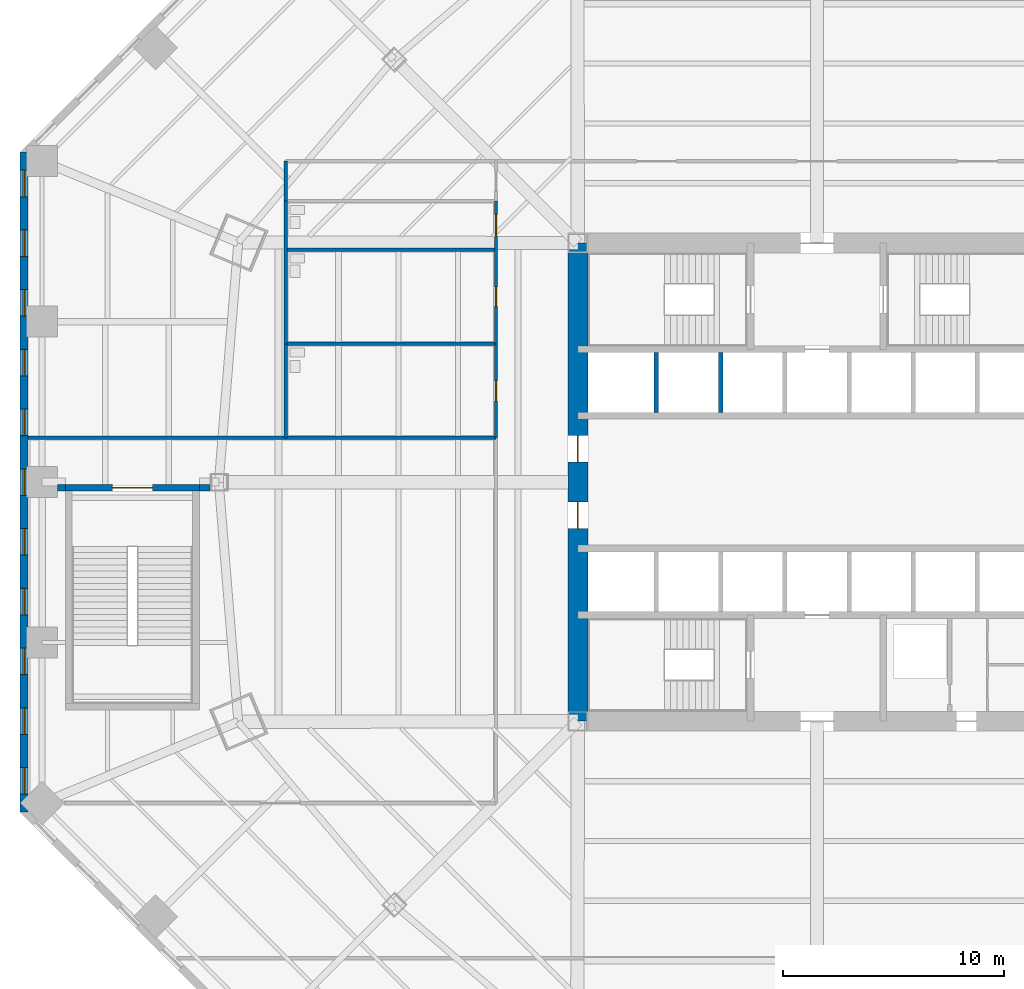
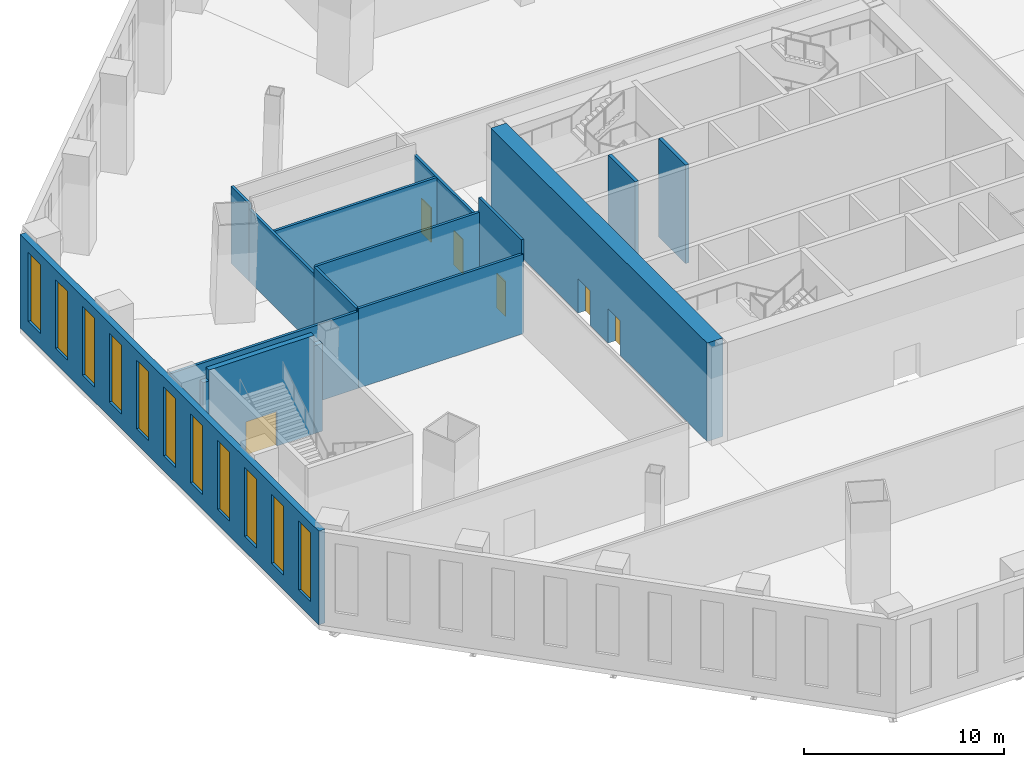
# One storey, part 10 of 20: 16 walls, 11 windows, 6 doors, 17 openings.
"""IFC4 building model written with IfcOpenShell, lengths in metres."""

from ifc_helpers import new_model, si_unit, direction, frame, frame_2d, origin, place, context, subcontext, project, spatial, rectangle, extrude, material, layer, layer_set, type_object, element, fill, save


model = new_model("IFC4")

# Units and contexts
model_context = context("Model", 3, precision=1e-05, world=origin(), true_north=direction((0.0, 1.0)))
body_context = subcontext(model_context, "Body", "Model", "MODEL_VIEW")
ifc_project = project(units=[si_unit("LENGTHUNIT", "METRE"), si_unit("AREAUNIT", "SQUARE_METRE"), si_unit("VOLUMEUNIT", "CUBIC_METRE"), si_unit("PLANEANGLEUNIT", "RADIAN"), si_unit("MASSUNIT", "GRAM", prefix="KILO")], contexts=[model_context])

# Site, building, storey
site_placement = place(None, origin())
site = spatial("IfcSite", under=ifc_project, at=site_placement, CompositionType="ELEMENT")
building_placement = place(site_placement, origin())
building = spatial("IfcBuilding", under=site, at=building_placement, Name="Mashrafa Tower", CompositionType="ELEMENT")
storey_placement = place(building_placement, frame((0.0, 0.0, 7.199951171875)))
storey = spatial("IfcBuildingStorey", under=building, at=storey_placement, Name="L01", CompositionType="ELEMENT", Elevation=7.199951171875)

# Wall, openings, doors
ifc_material_1 = material(Name="Concrete C60/75", Category="concrete")
ifc_layer_1 = layer(ifc_material_1, 0.89990234375)
ifc_layer_set_1 = layer_set([ifc_layer_1], Name="Core wall 900 C60/75")
wall_type_1 = type_object("IfcWallType", Name="Core wall 900 C60/75", PredefinedType="SOLIDWALL", material=ifc_layer_set_1)
wall_1_placement = place(storey_placement, frame((-10.800048828125, 10.800048828125, 0.0), z_axis=(0.0, 0.0, 1.0), x_axis=(0.0, -1.0, 0.0)))
wall_1 = element("IfcWall", 1, at=wall_1_placement, inside=storey, type_object=wall_type_1, Name="Core wall CW-W L01", PredefinedType="SOLIDWALL", context=body_context, shape_type="SweptSolid", body=[
    extrude(rectangle(XDim=21.60009765625, YDim=0.89990234375, at=frame_2d((10.800048828125, 0.0))), origin(), (0.0, 0.0, 1.0), 6.0),
])
opening_1_placement = place(wall_1_placement, frame((8.699951171875, 0.0, 0.0)))
opening_1 = element("IfcOpeningElement", 2, at=opening_1_placement, cuts=wall_1, Name="Opening 01.012", PredefinedType="OPENING", context=body_context, shape_type="SweptSolid", body=[
    extrude(rectangle(XDim=1.199951171875, YDim=2.10009765625, at=frame_2d((0.60009765625, 1.050048828125))), frame((0.0, 0.4599609375, 0.0), z_axis=(0.0, -1.0, 0.0), x_axis=(1.0, 0.0, 0.0)), (0.0, 0.0, 1.0), 0.919921875),
])
opening_2_placement = place(wall_1_placement, frame((11.699951171875, 0.0, 0.0)))
opening_2 = element("IfcOpeningElement", 3, at=opening_2_placement, cuts=wall_1, Name="Opening 01.014", PredefinedType="OPENING", context=body_context, shape_type="SweptSolid", body=[
    extrude(rectangle(XDim=1.199951171875, YDim=2.10009765625, at=frame_2d((0.60009765625, 1.050048828125))), frame((0.0, 0.4599609375, 0.0), z_axis=(0.0, -1.0, 0.0), x_axis=(1.0, 0.0, 0.0)), (0.0, 0.0, 1.0), 0.919921875),
])
ifc_material_2 = material(Name="Steel door", Category="steel")
door_type_1 = type_object("IfcDoorType", Name="Lift hall door 1200 x 2100 90 min", OperationType="USERDEFINED", PredefinedType="DOOR", material=ifc_material_2)
door_1_placement = place(opening_1_placement, frame((1.199951171875, 0.0, 0.0), z_axis=(0.0, 0.0, 1.0), x_axis=(-1.0, 0.0, 0.0)))
door_1 = element("IfcDoor", 4, at=door_1_placement, inside=storey, type_object=door_type_1, Name="Lift hall door west L01", OperationType="SINGLE_SWING_RIGHT", OverallHeight=2.10009765625, OverallWidth=1.199951171875, PredefinedType="DOOR", context=body_context, shape_type="SweptSolid", body=[
    extrude(rectangle(XDim=1.199951171875, YDim=2.10009765625, at=frame_2d((0.60009765625, 1.050048828125))), frame((0.0, 0.02490234375, 0.0), z_axis=(0.0, -1.0, 0.0), x_axis=(1.0, 0.0, 0.0)), (0.0, 0.0, 1.0), 0.050048828125),
])
fill(opening_1, door_1)
door_2_placement = place(opening_2_placement, frame((1.199951171875, 0.0, 0.0), z_axis=(0.0, 0.0, 1.0), x_axis=(-1.0, 0.0, 0.0)))
door_2 = element("IfcDoor", 5, at=door_2_placement, inside=storey, type_object=door_type_1, Name="Lift hall door west L01", OperationType="SINGLE_SWING_RIGHT", OverallHeight=2.10009765625, OverallWidth=1.199951171875, PredefinedType="DOOR", context=body_context, shape_type="SweptSolid", body=[
    extrude(rectangle(XDim=1.199951171875, YDim=2.10009765625, at=frame_2d((0.60009765625, 1.050048828125))), frame((0.0, 0.02490234375, 0.0), z_axis=(0.0, -1.0, 0.0), x_axis=(1.0, 0.0, 0.0)), (0.0, 0.0, 1.0), 0.050048828125),
])
fill(opening_2, door_2)

# Wall, opening, door
ifc_material_3 = material(Name="Gypsum board on steel studs", Category="steel")
ifc_layer_2 = layer(ifc_material_3, 0.14990234375)
ifc_layer_set_2 = layer_set([ifc_layer_2], Name="Corridor partition 150 1 hr")
wall_type_2 = type_object("IfcWallType", Name="Corridor partition 150 1 hr", PredefinedType="PARTITIONING", material=ifc_layer_set_2)
wall_2_placement = place(storey_placement, frame((-14.5, 2.0, 0.0), z_axis=(0.0, 0.0, 1.0), x_axis=(0.0, 1.0, 0.0)))
wall_2 = element("IfcWall", 6, at=wall_2_placement, inside=storey, type_object=wall_type_2, Name="Corridor wall L01-003", PredefinedType="PARTITIONING", context=body_context, shape_type="SweptSolid", body=[
    extrude(rectangle(XDim=4.25, YDim=0.14990234375, at=frame_2d((2.125, 0.0))), origin(), (0.0, 0.0, 1.0), 5.699951171875),
])
opening_3_placement = place(wall_2_placement, frame((1.675048828125, 0.0, 0.0)))
opening_3 = element("IfcOpeningElement", 7, at=opening_3_placement, cuts=wall_2, Name="Opening 01.001", PredefinedType="OPENING", context=body_context, shape_type="SweptSolid", body=[
    extrude(rectangle(XDim=0.89990234375, YDim=2.10009765625, at=frame_2d((0.449951171875, 1.050048828125))), frame((0.0, 0.0849609375, 0.0), z_axis=(0.0, -1.0, 0.0), x_axis=(1.0, 0.0, 0.0)), (0.0, 0.0, 1.0), 0.169921875),
])
ifc_material_4 = material(Name="Timber door", Category="wood")
door_type_2 = type_object("IfcDoorType", Name="Toilet door 900 x 2100", OperationType="USERDEFINED", PredefinedType="DOOR", material=ifc_material_4)
door_3_placement = place(opening_3_placement, origin())
door_3 = element("IfcDoor", 8, at=door_3_placement, inside=storey, type_object=door_type_2, Name="WC Female L01 door", OperationType="SINGLE_SWING_LEFT", OverallHeight=2.10009765625, OverallWidth=0.89990234375, PredefinedType="DOOR", context=body_context, shape_type="SweptSolid", body=[
    extrude(rectangle(XDim=0.89990234375, YDim=2.10009765625, at=frame_2d((0.449951171875, 1.050048828125))), frame((0.0, 0.02490234375, 0.0), z_axis=(0.0, -1.0, 0.0), x_axis=(1.0, 0.0, 0.0)), (0.0, 0.0, 1.0), 0.050048828125),
])
fill(opening_3, door_3)

# Wall, openings, doors
wall_3_placement = place(storey_placement, frame((-14.5, 6.25, 0.0), z_axis=(0.0, 0.0, 1.0), x_axis=(0.0, 1.0, 0.0)))
wall_3 = element("IfcWall", 9, at=wall_3_placement, inside=storey, type_object=wall_type_2, Name="Corridor wall L01-006", PredefinedType="PARTITIONING", context=body_context, shape_type="SweptSolid", body=[
    extrude(rectangle(XDim=6.449951171875, YDim=0.14990234375, at=frame_2d((3.22509765625, 0.0))), origin(), (0.0, 0.0, 1.0), 4.39013671875),
])
opening_4_placement = place(wall_3_placement, frame((1.675048828125, 0.0, 0.0)))
opening_4 = element("IfcOpeningElement", 10, at=opening_4_placement, cuts=wall_3, Name="Opening 01.002", PredefinedType="OPENING", context=body_context, shape_type="SweptSolid", body=[
    extrude(rectangle(XDim=0.89990234375, YDim=2.10009765625, at=frame_2d((0.449951171875, 1.050048828125))), frame((0.0, 0.0849609375, 0.0), z_axis=(0.0, -1.0, 0.0), x_axis=(1.0, 0.0, 0.0)), (0.0, 0.0, 1.0), 0.169921875),
])
opening_5_placement = place(wall_3_placement, frame((4.85009765625, 0.0, 0.0)))
opening_5 = element("IfcOpeningElement", 11, at=opening_5_placement, cuts=wall_3, Name="Opening 01.003", PredefinedType="OPENING", context=body_context, shape_type="SweptSolid", body=[
    extrude(rectangle(XDim=1.0, YDim=2.10009765625, at=frame_2d((0.5, 1.050048828125))), frame((0.0, 0.0849609375, 0.0), z_axis=(0.0, -1.0, 0.0), x_axis=(1.0, 0.0, 0.0)), (0.0, 0.0, 1.0), 0.169921875),
])
ifc_material_5 = material(Name="Timber door", Category="wood")
door_type_3 = type_object("IfcDoorType", Name="Accessible toilet door 1000 x 2100", OperationType="USERDEFINED", PredefinedType="DOOR", material=ifc_material_5)
door_4_placement = place(opening_5_placement, origin())
door_4 = element("IfcDoor", 12, at=door_4_placement, inside=storey, type_object=door_type_3, Name="Accessible WC L01 door", OperationType="SINGLE_SWING_LEFT", OverallHeight=2.10009765625, OverallWidth=1.0, PredefinedType="DOOR", context=body_context, shape_type="SweptSolid", body=[
    extrude(rectangle(XDim=1.0, YDim=2.10009765625, at=frame_2d((0.5, 1.050048828125))), frame((0.0, 0.02490234375, 0.0), z_axis=(0.0, -1.0, 0.0), x_axis=(1.0, 0.0, 0.0)), (0.0, 0.0, 1.0), 0.050048828125),
])
fill(opening_5, door_4)
door_5_placement = place(opening_4_placement, origin())
door_5 = element("IfcDoor", 13, at=door_5_placement, inside=storey, type_object=door_type_2, Name="WC Male L01 door", OperationType="SINGLE_SWING_LEFT", OverallHeight=2.10009765625, OverallWidth=0.89990234375, PredefinedType="DOOR", context=body_context, shape_type="SweptSolid", body=[
    extrude(rectangle(XDim=0.89990234375, YDim=2.10009765625, at=frame_2d((0.449951171875, 1.050048828125))), frame((0.0, 0.02490234375, 0.0), z_axis=(0.0, -1.0, 0.0), x_axis=(1.0, 0.0, 0.0)), (0.0, 0.0, 1.0), 0.050048828125),
])
fill(opening_4, door_5)

# Wall, openings, windows
ifc_material_6 = material(Name="Riyadh limestone cladding on blockwork", Category="masonry")
ifc_layer_3 = layer(ifc_material_6, 0.35009765625)
ifc_layer_set_3 = layer_set([ifc_layer_3], Name="Limestone-clad external wall 350")
wall_type_3 = type_object("IfcWallType", Name="Limestone-clad external wall 350", PredefinedType="SOLIDWALL", material=ifc_layer_set_3)
wall_4_placement = place(storey_placement, frame((-35.824951171875, 14.91162109375, 0.0), z_axis=(0.0, 0.0, 1.0), x_axis=(0.0, -1.0, 0.0)))
wall_4 = element("IfcWall", 14, at=wall_4_placement, inside=storey, type_object=wall_type_3, Name="Limestone-clad external wall L01 west", PredefinedType="SOLIDWALL", context=body_context, shape_type="SweptSolid", body=[
    extrude(rectangle(XDim=29.8232421875, YDim=0.35009765625, at=frame_2d((14.91162109375, 0.0))), origin(), (0.0, 0.0, 1.0), 5.699951171875),
])
opening_6_placement = place(wall_4_placement, frame((0.821533203125, 0.0, 0.89990234375)))
opening_6 = element("IfcOpeningElement", 15, at=opening_6_placement, cuts=wall_4, Name="Opening W1", PredefinedType="OPENING", context=body_context, shape_type="SweptSolid", body=[
    extrude(rectangle(XDim=1.199951171875, YDim=4.199951171875, at=frame_2d((0.60009765625, 2.10009765625))), frame((0.0, 0.18505859375, 0.0), z_axis=(0.0, -1.0, 0.0), x_axis=(1.0, 0.0, 0.0)), (0.0, 0.0, 1.0), 0.3701171875),
])
opening_7_placement = place(wall_4_placement, frame((3.51953125, 0.0, 0.89990234375)))
opening_7 = element("IfcOpeningElement", 16, at=opening_7_placement, cuts=wall_4, Name="Opening W1", PredefinedType="OPENING", context=body_context, shape_type="SweptSolid", body=[
    extrude(rectangle(XDim=1.199951171875, YDim=4.199951171875, at=frame_2d((0.60009765625, 2.10009765625))), frame((0.0, 0.18505859375, 0.0), z_axis=(0.0, -1.0, 0.0), x_axis=(1.0, 0.0, 0.0)), (0.0, 0.0, 1.0), 0.3701171875),
])
opening_8_placement = place(wall_4_placement, frame((6.217529296875, 0.0, 0.89990234375)))
opening_8 = element("IfcOpeningElement", 17, at=opening_8_placement, cuts=wall_4, Name="Opening W1", PredefinedType="OPENING", context=body_context, shape_type="SweptSolid", body=[
    extrude(rectangle(XDim=1.199951171875, YDim=4.199951171875, at=frame_2d((0.60009765625, 2.10009765625))), frame((0.0, 0.18505859375, 0.0), z_axis=(0.0, -1.0, 0.0), x_axis=(1.0, 0.0, 0.0)), (0.0, 0.0, 1.0), 0.3701171875),
])
opening_9_placement = place(wall_4_placement, frame((8.91552734375, 0.0, 0.89990234375)))
opening_9 = element("IfcOpeningElement", 18, at=opening_9_placement, cuts=wall_4, Name="Opening W1", PredefinedType="OPENING", context=body_context, shape_type="SweptSolid", body=[
    extrude(rectangle(XDim=1.199951171875, YDim=4.199951171875, at=frame_2d((0.60009765625, 2.10009765625))), frame((0.0, 0.18505859375, 0.0), z_axis=(0.0, -1.0, 0.0), x_axis=(1.0, 0.0, 0.0)), (0.0, 0.0, 1.0), 0.3701171875),
])
opening_10_placement = place(wall_4_placement, frame((11.61376953125, 0.0, 0.89990234375)))
opening_10 = element("IfcOpeningElement", 19, at=opening_10_placement, cuts=wall_4, Name="Opening W1", PredefinedType="OPENING", context=body_context, shape_type="SweptSolid", body=[
    extrude(rectangle(XDim=1.199951171875, YDim=4.199951171875, at=frame_2d((0.60009765625, 2.10009765625))), frame((0.0, 0.18505859375, 0.0), z_axis=(0.0, -1.0, 0.0), x_axis=(1.0, 0.0, 0.0)), (0.0, 0.0, 1.0), 0.3701171875),
])
opening_11_placement = place(wall_4_placement, frame((14.311767578125, 0.0, 0.89990234375)))
opening_11 = element("IfcOpeningElement", 20, at=opening_11_placement, cuts=wall_4, Name="Opening W1", PredefinedType="OPENING", context=body_context, shape_type="SweptSolid", body=[
    extrude(rectangle(XDim=1.199951171875, YDim=4.199951171875, at=frame_2d((0.60009765625, 2.10009765625))), frame((0.0, 0.18505859375, 0.0), z_axis=(0.0, -1.0, 0.0), x_axis=(1.0, 0.0, 0.0)), (0.0, 0.0, 1.0), 0.3701171875),
])
opening_12_placement = place(wall_4_placement, frame((17.009765625, 0.0, 0.89990234375)))
opening_12 = element("IfcOpeningElement", 21, at=opening_12_placement, cuts=wall_4, Name="Opening W1", PredefinedType="OPENING", context=body_context, shape_type="SweptSolid", body=[
    extrude(rectangle(XDim=1.199951171875, YDim=4.199951171875, at=frame_2d((0.60009765625, 2.10009765625))), frame((0.0, 0.18505859375, 0.0), z_axis=(0.0, -1.0, 0.0), x_axis=(1.0, 0.0, 0.0)), (0.0, 0.0, 1.0), 0.3701171875),
])
opening_13_placement = place(wall_4_placement, frame((19.707763671875, 0.0, 0.89990234375)))
opening_13 = element("IfcOpeningElement", 22, at=opening_13_placement, cuts=wall_4, Name="Opening W1", PredefinedType="OPENING", context=body_context, shape_type="SweptSolid", body=[
    extrude(rectangle(XDim=1.199951171875, YDim=4.199951171875, at=frame_2d((0.60009765625, 2.10009765625))), frame((0.0, 0.18505859375, 0.0), z_axis=(0.0, -1.0, 0.0), x_axis=(1.0, 0.0, 0.0)), (0.0, 0.0, 1.0), 0.3701171875),
])
opening_14_placement = place(wall_4_placement, frame((22.40576171875, 0.0, 0.89990234375)))
opening_14 = element("IfcOpeningElement", 23, at=opening_14_placement, cuts=wall_4, Name="Opening W1", PredefinedType="OPENING", context=body_context, shape_type="SweptSolid", body=[
    extrude(rectangle(XDim=1.199951171875, YDim=4.199951171875, at=frame_2d((0.60009765625, 2.10009765625))), frame((0.0, 0.18505859375, 0.0), z_axis=(0.0, -1.0, 0.0), x_axis=(1.0, 0.0, 0.0)), (0.0, 0.0, 1.0), 0.3701171875),
])
opening_15_placement = place(wall_4_placement, frame((25.103759765625, 0.0, 0.89990234375)))
opening_15 = element("IfcOpeningElement", 24, at=opening_15_placement, cuts=wall_4, Name="Opening W1", PredefinedType="OPENING", context=body_context, shape_type="SweptSolid", body=[
    extrude(rectangle(XDim=1.199951171875, YDim=4.199951171875, at=frame_2d((0.60009765625, 2.10009765625))), frame((0.0, 0.18505859375, 0.0), z_axis=(0.0, -1.0, 0.0), x_axis=(1.0, 0.0, 0.0)), (0.0, 0.0, 1.0), 0.3701171875),
])
opening_16_placement = place(wall_4_placement, frame((27.8017578125, 0.0, 0.89990234375)))
opening_16 = element("IfcOpeningElement", 25, at=opening_16_placement, cuts=wall_4, Name="Opening W1", PredefinedType="OPENING", context=body_context, shape_type="SweptSolid", body=[
    extrude(rectangle(XDim=1.199951171875, YDim=4.199951171875, at=frame_2d((0.60009765625, 2.10009765625))), frame((0.0, 0.18505859375, 0.0), z_axis=(0.0, -1.0, 0.0), x_axis=(1.0, 0.0, 0.0)), (0.0, 0.0, 1.0), 0.3701171875),
])
ifc_material_7 = material(Name="Bronze-framed insulated glazing", Category="glass")
window_type = type_object("IfcWindowType", Name="Tall punched window 1200 x 4200", PartitioningType="DOUBLE_PANEL_HORIZONTAL", PredefinedType="WINDOW", material=ifc_material_7)
window_1_placement = place(opening_6_placement, origin())
window_1 = element("IfcWindow", 26, at=window_1_placement, inside=storey, type_object=window_type, Name="Window W1 L01 west bay 1", OverallHeight=4.199951171875, OverallWidth=1.199951171875, PartitioningType="SINGLE_PANEL", PredefinedType="WINDOW", context=body_context, shape_type="SweptSolid", body=[
    extrude(rectangle(XDim=1.199951171875, YDim=4.199951171875, at=frame_2d((0.60009765625, 2.10009765625))), frame((0.0, 0.030029296875, 0.0), z_axis=(0.0, -1.0, 0.0), x_axis=(1.0, 0.0, 0.0)), (0.0, 0.0, 1.0), 0.06005859375),
])
fill(opening_6, window_1)
window_2_placement = place(opening_7_placement, origin())
window_2 = element("IfcWindow", 27, at=window_2_placement, inside=storey, type_object=window_type, Name="Window W1 L01 west bay 2", OverallHeight=4.199951171875, OverallWidth=1.199951171875, PartitioningType="SINGLE_PANEL", PredefinedType="WINDOW", context=body_context, shape_type="SweptSolid", body=[
    extrude(rectangle(XDim=1.199951171875, YDim=4.199951171875, at=frame_2d((0.60009765625, 2.10009765625))), frame((0.0, 0.030029296875, 0.0), z_axis=(0.0, -1.0, 0.0), x_axis=(1.0, 0.0, 0.0)), (0.0, 0.0, 1.0), 0.06005859375),
])
fill(opening_7, window_2)
window_3_placement = place(opening_8_placement, origin())
window_3 = element("IfcWindow", 28, at=window_3_placement, inside=storey, type_object=window_type, Name="Window W1 L01 west bay 3", OverallHeight=4.199951171875, OverallWidth=1.199951171875, PartitioningType="SINGLE_PANEL", PredefinedType="WINDOW", context=body_context, shape_type="SweptSolid", body=[
    extrude(rectangle(XDim=1.199951171875, YDim=4.199951171875, at=frame_2d((0.60009765625, 2.10009765625))), frame((0.0, 0.030029296875, 0.0), z_axis=(0.0, -1.0, 0.0), x_axis=(1.0, 0.0, 0.0)), (0.0, 0.0, 1.0), 0.06005859375),
])
fill(opening_8, window_3)
window_4_placement = place(opening_9_placement, origin())
window_4 = element("IfcWindow", 29, at=window_4_placement, inside=storey, type_object=window_type, Name="Window W1 L01 west bay 4", OverallHeight=4.199951171875, OverallWidth=1.199951171875, PartitioningType="SINGLE_PANEL", PredefinedType="WINDOW", context=body_context, shape_type="SweptSolid", body=[
    extrude(rectangle(XDim=1.199951171875, YDim=4.199951171875, at=frame_2d((0.60009765625, 2.10009765625))), frame((0.0, 0.030029296875, 0.0), z_axis=(0.0, -1.0, 0.0), x_axis=(1.0, 0.0, 0.0)), (0.0, 0.0, 1.0), 0.06005859375),
])
fill(opening_9, window_4)
window_5_placement = place(opening_10_placement, origin())
window_5 = element("IfcWindow", 30, at=window_5_placement, inside=storey, type_object=window_type, Name="Window W1 L01 west bay 5", OverallHeight=4.199951171875, OverallWidth=1.199951171875, PartitioningType="SINGLE_PANEL", PredefinedType="WINDOW", context=body_context, shape_type="SweptSolid", body=[
    extrude(rectangle(XDim=1.199951171875, YDim=4.199951171875, at=frame_2d((0.60009765625, 2.10009765625))), frame((0.0, 0.030029296875, 0.0), z_axis=(0.0, -1.0, 0.0), x_axis=(1.0, 0.0, 0.0)), (0.0, 0.0, 1.0), 0.06005859375),
])
fill(opening_10, window_5)
window_6_placement = place(opening_11_placement, origin())
window_6 = element("IfcWindow", 31, at=window_6_placement, inside=storey, type_object=window_type, Name="Window W1 L01 west bay 6", OverallHeight=4.199951171875, OverallWidth=1.199951171875, PartitioningType="SINGLE_PANEL", PredefinedType="WINDOW", context=body_context, shape_type="SweptSolid", body=[
    extrude(rectangle(XDim=1.199951171875, YDim=4.199951171875, at=frame_2d((0.60009765625, 2.10009765625))), frame((0.0, 0.030029296875, 0.0), z_axis=(0.0, -1.0, 0.0), x_axis=(1.0, 0.0, 0.0)), (0.0, 0.0, 1.0), 0.06005859375),
])
fill(opening_11, window_6)
window_7_placement = place(opening_12_placement, origin())
window_7 = element("IfcWindow", 32, at=window_7_placement, inside=storey, type_object=window_type, Name="Window W1 L01 west bay 7", OverallHeight=4.199951171875, OverallWidth=1.199951171875, PartitioningType="SINGLE_PANEL", PredefinedType="WINDOW", context=body_context, shape_type="SweptSolid", body=[
    extrude(rectangle(XDim=1.199951171875, YDim=4.199951171875, at=frame_2d((0.60009765625, 2.10009765625))), frame((0.0, 0.030029296875, 0.0), z_axis=(0.0, -1.0, 0.0), x_axis=(1.0, 0.0, 0.0)), (0.0, 0.0, 1.0), 0.06005859375),
])
fill(opening_12, window_7)
window_8_placement = place(opening_13_placement, origin())
window_8 = element("IfcWindow", 33, at=window_8_placement, inside=storey, type_object=window_type, Name="Window W1 L01 west bay 8", OverallHeight=4.199951171875, OverallWidth=1.199951171875, PartitioningType="SINGLE_PANEL", PredefinedType="WINDOW", context=body_context, shape_type="SweptSolid", body=[
    extrude(rectangle(XDim=1.199951171875, YDim=4.199951171875, at=frame_2d((0.60009765625, 2.10009765625))), frame((0.0, 0.030029296875, 0.0), z_axis=(0.0, -1.0, 0.0), x_axis=(1.0, 0.0, 0.0)), (0.0, 0.0, 1.0), 0.06005859375),
])
fill(opening_13, window_8)
window_9_placement = place(opening_14_placement, origin())
window_9 = element("IfcWindow", 34, at=window_9_placement, inside=storey, type_object=window_type, Name="Window W1 L01 west bay 9", OverallHeight=4.199951171875, OverallWidth=1.199951171875, PartitioningType="SINGLE_PANEL", PredefinedType="WINDOW", context=body_context, shape_type="SweptSolid", body=[
    extrude(rectangle(XDim=1.199951171875, YDim=4.199951171875, at=frame_2d((0.60009765625, 2.10009765625))), frame((0.0, 0.030029296875, 0.0), z_axis=(0.0, -1.0, 0.0), x_axis=(1.0, 0.0, 0.0)), (0.0, 0.0, 1.0), 0.06005859375),
])
fill(opening_14, window_9)
window_10_placement = place(opening_15_placement, origin())
window_10 = element("IfcWindow", 35, at=window_10_placement, inside=storey, type_object=window_type, Name="Window W1 L01 west bay 10", OverallHeight=4.199951171875, OverallWidth=1.199951171875, PartitioningType="SINGLE_PANEL", PredefinedType="WINDOW", context=body_context, shape_type="SweptSolid", body=[
    extrude(rectangle(XDim=1.199951171875, YDim=4.199951171875, at=frame_2d((0.60009765625, 2.10009765625))), frame((0.0, 0.030029296875, 0.0), z_axis=(0.0, -1.0, 0.0), x_axis=(1.0, 0.0, 0.0)), (0.0, 0.0, 1.0), 0.06005859375),
])
fill(opening_15, window_10)
window_11_placement = place(opening_16_placement, origin())
window_11 = element("IfcWindow", 36, at=window_11_placement, inside=storey, type_object=window_type, Name="Window W1 L01 west bay 11", OverallHeight=4.199951171875, OverallWidth=1.199951171875, PartitioningType="SINGLE_PANEL", PredefinedType="WINDOW", context=body_context, shape_type="SweptSolid", body=[
    extrude(rectangle(XDim=1.199951171875, YDim=4.199951171875, at=frame_2d((0.60009765625, 2.10009765625))), frame((0.0, 0.030029296875, 0.0), z_axis=(0.0, -1.0, 0.0), x_axis=(1.0, 0.0, 0.0)), (0.0, 0.0, 1.0), 0.06005859375),
])
fill(opening_16, window_11)

# Walls
ifc_material_8 = material(Name="Gypsum board on steel studs", Category="steel")
ifc_layer_4 = layer(ifc_material_8, 0.14990234375)
ifc_layer_set_4 = layer_set([ifc_layer_4], Name="Partition 150")
wall_type_4 = type_object("IfcWallType", Name="Partition 150", PredefinedType="PARTITIONING", material=ifc_layer_set_4)
for number, where, z_axis, x_axis, name in (
    (37, (-14.5, 6.25, 0.0), (0.0, 0.0, 1.0), (-1.0, 0.0, 0.0), "Partition wall L01-001"),
    (38, (-24.0, 2.0, 0.0), (0.0, 0.0, 1.0), (1.0, 0.0, 0.0), "Partition wall L01-002"),
):
    element("IfcWall", number, at=place(storey_placement, frame(where, z_axis=z_axis, x_axis=x_axis)), inside=storey, type_object=wall_type_4, Name=name, PredefinedType="PARTITIONING", context=body_context, shape_type="SweptSolid", body=[
        extrude(rectangle(XDim=9.5, YDim=0.14990234375, at=frame_2d((4.75, 0.0))), origin(), (0.0, 0.0, 1.0), 4.84423828125),
    ])
wall_5_placement = place(storey_placement, frame((-24.0, 6.25, 0.0), z_axis=(0.0, 0.0, 1.0), x_axis=(0.0, -1.0, 0.0)))
element("IfcWall", 39, at=wall_5_placement, inside=storey, type_object=wall_type_4, Name="Partition wall L01-004", PredefinedType="PARTITIONING", context=body_context, shape_type="SweptSolid", body=[
    extrude(rectangle(XDim=4.25, YDim=0.14990234375, at=frame_2d((2.125, 0.0))), origin(), (0.0, 0.0, 1.0), 4.83154296875),
])
wall_6_placement = place(storey_placement, frame((-14.5, 10.5, 0.0), z_axis=(0.0, 0.0, 1.0), x_axis=(-1.0, 0.0, 0.0)))
element("IfcWall", 40, at=wall_6_placement, inside=storey, type_object=wall_type_4, Name="Partition wall L01-005", PredefinedType="PARTITIONING", context=body_context, shape_type="SweptSolid", body=[
    extrude(rectangle(XDim=9.5, YDim=0.14990234375, at=frame_2d((4.75, 0.0))), origin(), (0.0, 0.0, 1.0), 4.39013671875),
])
wall_7_placement = place(storey_placement, frame((-24.0, 6.25, 0.0), z_axis=(0.0, 0.0, 1.0), x_axis=(0.0, 1.0, 0.0)))
element("IfcWall", 41, at=wall_7_placement, inside=storey, type_object=wall_type_4, Name="Partition wall L01-007", PredefinedType="PARTITIONING", context=body_context, shape_type="SweptSolid", body=[
    extrude(rectangle(XDim=6.449951171875, YDim=0.14990234375, at=frame_2d((3.22509765625, 0.0))), origin(), (0.0, 0.0, 1.0), 4.39013671875),
])
wall_8_placement = place(storey_placement, frame((-24.0, 14.5, 0.0), z_axis=(0.0, 0.0, 1.0), x_axis=(0.0, -1.0, 0.0)))
element("IfcWall", 42, at=wall_8_placement, inside=storey, type_object=wall_type_4, Name="Partition wall L01-013", PredefinedType="PARTITIONING", context=body_context, shape_type="SweptSolid", body=[
    extrude(rectangle(XDim=1.800048828125, YDim=0.14990234375, at=frame_2d((0.89990234375, 0.0))), origin(), (0.0, 0.0, 1.0), 4.70703125),
])
wall_9_placement = place(storey_placement, frame((-23.9990234375, 2.0, 0.0), z_axis=(0.0, 0.0, 1.0), x_axis=(-1.0, 0.0, 0.0)))
element("IfcWall", 43, at=wall_9_placement, inside=storey, type_object=wall_type_4, Name="Partition wall L01-016", PredefinedType="PARTITIONING", context=body_context, shape_type="SweptSolid", body=[
    extrude(rectangle(XDim=11.65087890625, YDim=0.14990234375, at=frame_2d((5.825439453125, 0.0))), origin(), (0.0, 0.0, 1.0), 4.67919921875),
])
ifc_material_9 = material(Name="Gypsum shaft wall on steel studs", Category="steel")
ifc_layer_5 = layer(ifc_material_9, 0.199951171875)
ifc_layer_set_5 = layer_set([ifc_layer_5], Name="Shaft divider wall 200 2 hr")
wall_type_5 = type_object("IfcWallType", Name="Shaft divider wall 200 2 hr", PredefinedType="PARTITIONING", material=ifc_layer_set_5)
for number, where, z_axis, x_axis, name in (
    (44, (-7.25, 3.14990234375, 0.0), (0.0, 0.0, 1.0), (0.0, 1.0, 0.0), "Shaft divider wall N1 L01"),
    (45, (-4.35009765625, 3.14990234375, 0.0), (0.0, 0.0, 1.0), (0.0, 1.0, 0.0), "Shaft divider wall N2 L01"),
):
    element("IfcWall", number, at=place(storey_placement, frame(where, z_axis=z_axis, x_axis=x_axis)), inside=storey, type_object=wall_type_5, Name=name, PredefinedType="PARTITIONING", context=body_context, shape_type="SweptSolid", body=[
        extrude(rectangle(XDim=2.7001953125, YDim=0.199951171875, at=frame_2d((1.35009765625, 0.0))), origin(), (0.0, 0.0, 1.0), 6.0),
    ])

# Wall, opening, door
ifc_material_10 = material(Name="Concrete C35/45", Category="concrete")
ifc_layer_6 = layer(ifc_material_10, 0.300048828125)
ifc_layer_set_6 = layer_set([ifc_layer_6], Name="Stair core wall 300 3 hr")
wall_type_6 = type_object("IfcWallType", Name="Stair core wall 300 3 hr", PredefinedType="SOLIDWALL", material=ifc_layer_set_6)
wall_10_placement = place(storey_placement, frame((-27.89990234375, -0.25, 0.0), z_axis=(0.0, 0.0, 1.0), x_axis=(-1.0, 0.0, 0.0)))
wall_10 = element("IfcWall", 46, at=wall_10_placement, inside=storey, type_object=wall_type_6, Name="Stair P3 core wall N L01", PredefinedType="SOLIDWALL", context=body_context, shape_type="SweptSolid", body=[
    extrude(rectangle(XDim=6.050048828125, YDim=0.300048828125, at=frame_2d((3.02490234375, 0.0))), origin(), (0.0, 0.0, 1.0), 6.0),
])
opening_17_placement = place(wall_10_placement, frame((2.125, 0.0, 0.0)))
opening_17 = element("IfcOpeningElement", 47, at=opening_17_placement, cuts=wall_10, Name="Opening 01.026", PredefinedType="OPENING", context=body_context, shape_type="SweptSolid", body=[
    extrude(rectangle(XDim=1.800048828125, YDim=2.10009765625, at=frame_2d((0.89990234375, 1.050048828125))), frame((0.0, 0.159912109375, 0.0), z_axis=(0.0, -1.0, 0.0), x_axis=(1.0, 0.0, 0.0)), (0.0, 0.0, 1.0), 0.320068359375),
])
ifc_material_11 = material(Name="Steel door", Category="steel")
door_type_4 = type_object("IfcDoorType", Name="Stair door pair 1800 x 2100 90 min", OperationType="DOUBLE_DOOR_SINGLE_SWING", PredefinedType="DOOR", material=ifc_material_11)
door_6_placement = place(opening_17_placement, origin())
door_6 = element("IfcDoor", 48, at=door_6_placement, inside=storey, type_object=door_type_4, Name="Stair P3 door L01", OperationType="DOUBLE_DOOR_SINGLE_SWING", OverallHeight=2.10009765625, OverallWidth=1.800048828125, PredefinedType="DOOR", context=body_context, shape_type="SweptSolid", body=[
    extrude(rectangle(XDim=1.800048828125, YDim=2.10009765625, at=frame_2d((0.89990234375, 1.050048828125))), frame((0.0, 0.02490234375, 0.0), z_axis=(0.0, -1.0, 0.0), x_axis=(1.0, 0.0, 0.0)), (0.0, 0.0, 1.0), 0.050048828125),
])
fill(opening_17, door_6)

# Walls
wall_11_placement = place(storey_placement, frame((-27.89990234375, -0.25, 0.0), z_axis=(0.0, 0.0, 1.0), x_axis=(1.0, 0.0, 0.0)))
element("IfcWall", 49, at=wall_11_placement, inside=storey, type_object=wall_type_6, Name="Stair P3 core wall N L01 end piece 1", PredefinedType="SOLIDWALL", context=body_context, shape_type="SweptSolid", body=[
    extrude(rectangle(XDim=0.489013671875, YDim=0.300048828125, at=frame_2d((0.24462890625, 0.0))), origin(), (0.0, 0.0, 1.0), 5.344482421875),
])
wall_12_placement = place(storey_placement, frame((-33.949951171875, -0.25, 0.0), z_axis=(0.0, 0.0, 1.0), x_axis=(-1.0, 0.0, 0.0)))
element("IfcWall", 50, at=wall_12_placement, inside=storey, type_object=wall_type_6, Name="Stair P3 core wall N L01 end piece 2", PredefinedType="SOLIDWALL", context=body_context, shape_type="SweptSolid", body=[
    extrude(rectangle(XDim=0.35009765625, YDim=0.300048828125, at=frame_2d((0.175048828125, 0.0))), origin(), (0.0, 0.0, 1.0), 5.344482421875),
])

save(model, "model.ifc")
